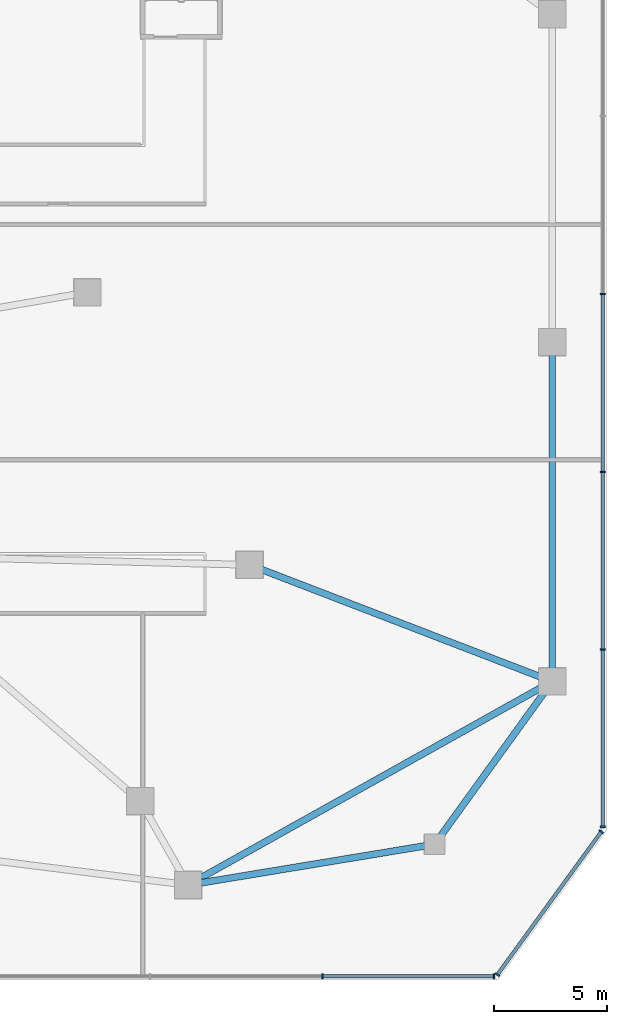
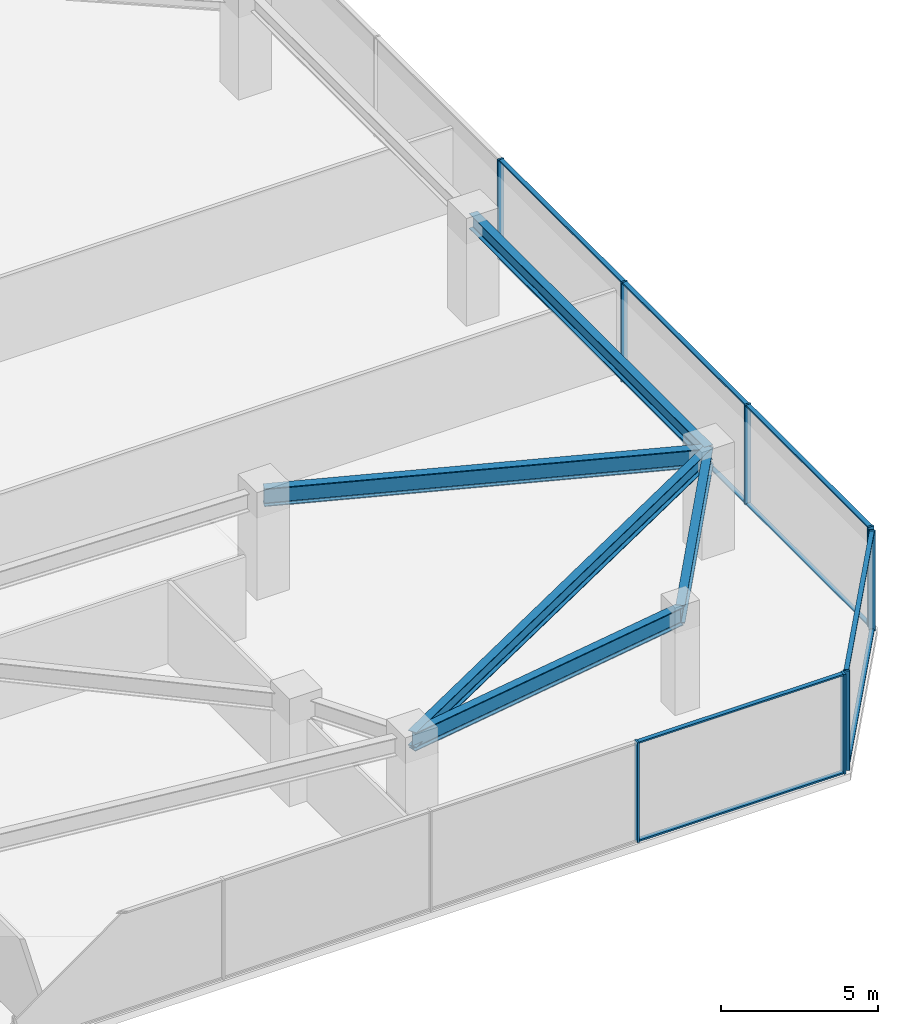
# One storey, part 8 of 22: 18 members, 5 beams, 3 elements without a shape of their own.
"""IFC4 building model written with IfcOpenShell, lengths in metres."""

import ifcopenshell
import ifcopenshell.guid

model = None  # the IFC model being written
_history = None  # IfcOwnerHistory: only IFC2X3 demands one
_inside = {}  # id of a spatial element -> (the spatial element, [elements in it])
_under = {}  # id of a project, library or spatial element -> (it, [spatial elements below it])
_declared = {}  # id of a project -> (the project, [libraries it declares])
_typed = {}  # id of a type object -> (the type object, [elements of that type])
_made_of = {}  # id of a material, layer set ... -> (it, [elements and type objects made of it])


def new_model(schema):
    """Start an empty IFC model of exactly this schema.

    Asked for "IFC4X3", IfcOpenShell would pick the latest addendum, in which some entities
    have other attributes; the version numbers below select the first issue.
    IFC2X3 requires an IfcOwnerHistory on every rooted entity: one is made here for all.
    """
    global model, _history
    if schema == "IFC4X3":
        model = ifcopenshell.file(schema_version=(4, 3, 0, 0))
    else:
        model = ifcopenshell.file(schema=schema)
    _inside.clear()
    _under.clear()
    _declared.clear()
    _typed.clear()
    _made_of.clear()
    _history = None
    if model.schema == "IFC2X3":
        org = make("IfcOrganization", Name="unknown")
        user = make(
            "IfcPersonAndOrganization",
            ThePerson=make("IfcPerson", FamilyName="unknown"),
            TheOrganization=org,
        )
        app = make(
            "IfcApplication",
            ApplicationDeveloper=org,
            Version="unknown",
            ApplicationFullName="unknown",
            ApplicationIdentifier="unknown",
        )
        _history = make(
            "IfcOwnerHistory",
            OwningUser=user,
            OwningApplication=app,
            ChangeAction="ADDED",
            CreationDate=0,
        )
    return model


def make(cls, **values):
    """One entity of the class cls with the attributes given. An attribute that is None is left unset."""
    return model.create_entity(
        cls, **{name: value for name, value in values.items() if value is not None}
    )


def rooted(cls, **values):
    """An entity with a GlobalId (a new one), such as an element, a storey or a relation."""
    return make(cls, GlobalId=ifcopenshell.guid.new(), OwnerHistory=_history, **values)


def si_unit(unit_type, name, prefix=None):
    """IfcSIUnit, for example si_unit("LENGTHUNIT", "METRE", prefix="MILLI")."""
    return make("IfcSIUnit", UnitType=unit_type, Prefix=prefix, Name=name)


def assignment(units):
    """IfcUnitAssignment: the units of a project."""
    return None if units is None else make("IfcUnitAssignment", Units=units)


def point(xyz):
    """IfcCartesianPoint."""
    return None if xyz is None else make("IfcCartesianPoint", Coordinates=xyz)


def direction(xyz):
    """IfcDirection."""
    return None if xyz is None else make("IfcDirection", DirectionRatios=xyz)


def frame(location, z_axis=None, x_axis=None):
    """IfcAxis2Placement3D, a coordinate frame: its origin and axes. An axis left out is left unset."""
    return make(
        "IfcAxis2Placement3D",
        Location=point(location),
        Axis=direction(z_axis),
        RefDirection=direction(x_axis),
    )


def frame_2d(location, x_axis=None):
    """IfcAxis2Placement2D, a coordinate frame in the plane: its origin and x axis."""
    return make(
        "IfcAxis2Placement2D", Location=point(location), RefDirection=direction(x_axis)
    )


def origin():
    """The frame at (0, 0, 0) with its axes left unset."""
    return frame((0.0, 0.0, 0.0))


def origin_2d():
    """The frame at (0, 0) in the plane with its x axis left unset."""
    return frame_2d((0.0, 0.0))


def place(relative_to, where):
    """IfcLocalPlacement: puts the frame where relative to a parent placement (None: the world)."""
    return make(
        "IfcLocalPlacement", PlacementRelTo=relative_to, RelativePlacement=where
    )


def context(
    kind, dimensions, precision=None, world=None, true_north=None, identifier=None
):
    """IfcGeometricRepresentationContext, for example the 3D "Model" context."""
    return make(
        "IfcGeometricRepresentationContext",
        ContextIdentifier=identifier,
        ContextType=kind,
        CoordinateSpaceDimension=dimensions,
        Precision=precision,
        WorldCoordinateSystem=world,
        TrueNorth=true_north,
    )


def subcontext(parent, identifier, kind, view, scale=None):
    """IfcGeometricRepresentationSubContext, for example "Body" below "Model"."""
    return make(
        "IfcGeometricRepresentationSubContext",
        ContextIdentifier=identifier,
        ContextType=kind,
        ParentContext=parent,
        TargetScale=scale,
        TargetView=view,
    )


def project(units=None, contexts=None):
    """IfcProject with its units and contexts."""
    return rooted(
        "IfcProject",
        Name="project",
        RepresentationContexts=contexts,
        UnitsInContext=assignment(units),
    )


def spatial(cls, under=None, at=None, **own):
    """A site, building, storey or space (cls), placed at a placement, below another one or the project."""
    s = rooted(cls, ObjectPlacement=at, **own)
    if under is not None:
        _under.setdefault(under.id(), (under, []))[1].append(s)
    return s


def profile(cls, at=None, kind="AREA", **sizes):
    """A parametric profile (cls). Its sizes go by their IFC names, for example OverallWidth=200.0."""
    return make(cls, ProfileType=kind, Position=at, **sizes)


def rectangle(**sizes):
    """IfcRectangleProfileDef."""
    return profile("IfcRectangleProfileDef", **sizes)


def i_section(**sizes):
    """IfcIShapeProfileDef."""
    return profile("IfcIShapeProfileDef", **sizes)


def extrude(swept, where, along, depth):
    """IfcExtrudedAreaSolid: the profile swept, set in the frame where, extruded along a direction by depth."""
    return make(
        "IfcExtrudedAreaSolid",
        SweptArea=swept,
        Position=where,
        ExtrudedDirection=direction(along),
        Depth=depth,
    )


def shape(context_of_items, identifier, shape_type, items):
    """IfcShapeRepresentation: the items that make up one representation, for example the "Body"."""
    return make(
        "IfcShapeRepresentation",
        ContextOfItems=context_of_items,
        RepresentationIdentifier=identifier,
        RepresentationType=shape_type,
        Items=items,
    )


def material(Name=None, Category=None):
    """IfcMaterial."""
    return make("IfcMaterial", Name=Name, Category=Category)


def material_profile(
    of_material, cross_section, Name=None, Category=None, Priority=None
):
    """IfcMaterialProfile: a cross section and its material."""
    return make(
        "IfcMaterialProfile",
        Name=Name,
        Material=of_material,
        Profile=cross_section,
        Priority=Priority,
        Category=Category,
    )


def profile_set(profiles, Name=None, composite=None):
    """IfcMaterialProfileSet."""
    return make(
        "IfcMaterialProfileSet",
        Name=Name,
        MaterialProfiles=profiles,
        CompositeProfile=composite,
    )


def made_of(thing, what):
    """Note that an element or type object is made of a material, layer set ...; save() writes the relation."""
    if what is not None:
        _made_of.setdefault(what.id(), (what, []))[1].append(thing)
    return thing


def type_object(cls, material=None, **own):
    """A type object (cls), such as IfcWallType, which elements share."""
    return made_of(rooted(cls, **own), material)


def element(
    cls,
    number,
    at=None,
    inside=None,
    cuts=None,
    type_object=None,
    material=None,
    context=None,
    identifier="Body",
    shape_type=None,
    held_by="IfcProductDefinitionShape",
    body=None,
    shapes=None,
    **own,
):
    """One element of the class cls, such as IfcWall. Its Tag is "e" and its number.

    at: its placement. inside: the storey or other place that contains it. cuts: it is an
    opening in that element (IfcRelVoidsElement). A single representation is given by context,
    identifier, shape_type and body (its items); several are given by shapes. held_by: the class
    of the entity that holds the representations. save() writes the other relations.
    """
    e = rooted(cls, Tag="e%d" % number, ObjectPlacement=at, **own)
    if body is not None:
        shapes = [shape(context, identifier, shape_type, body)]
    if shapes is not None:
        e.Representation = make(held_by, Representations=shapes)
    if inside is not None:
        _inside.setdefault(inside.id(), (inside, []))[1].append(e)
    if cuts is not None:
        rooted(
            "IfcRelVoidsElement", RelatingBuildingElement=cuts, RelatedOpeningElement=e
        )
    if type_object is not None:
        _typed.setdefault(type_object.id(), (type_object, []))[1].append(e)
    return made_of(e, material)


def aggregate(whole, parts):
    """IfcRelAggregates: a whole, such as a stair, and the parts it consists of."""
    return rooted("IfcRelAggregates", RelatingObject=whole, RelatedObjects=parts)


def save(model, path):
    """Write the relations noted so far, then the file.

    IfcRelAggregates (storeys below a building ...), IfcRelContainedInSpatialStructure (elements
    in a storey), IfcRelDefinesByType, IfcRelAssociatesMaterial and IfcRelDeclares: one each for
    every whole, place, type object, material and project.
    """
    for whole, parts in _under.values():
        aggregate(whole, parts)
    for where, things in _inside.values():
        rooted(
            "IfcRelContainedInSpatialStructure",
            RelatedElements=things,
            RelatingStructure=where,
        )
    for kind, things in _typed.values():
        rooted("IfcRelDefinesByType", RelatedObjects=things, RelatingType=kind)
    for what, things in _made_of.values():
        rooted("IfcRelAssociatesMaterial", RelatedObjects=things, RelatingMaterial=what)
    for by, libraries in _declared.values():
        rooted("IfcRelDeclares", RelatingContext=by, RelatedDefinitions=libraries)
    model.write(path)


model = new_model("IFC4")

# Units and contexts
model_context = context("Model", 3, precision=1e-05, world=origin(), true_north=direction((0.0, 1.0)))
body_context = subcontext(model_context, "Body", "Model", "MODEL_VIEW")
ifc_project = project(units=[si_unit("LENGTHUNIT", "METRE"), si_unit("AREAUNIT", "SQUARE_METRE"), si_unit("VOLUMEUNIT", "CUBIC_METRE"), si_unit("PLANEANGLEUNIT", "RADIAN"), si_unit("MASSUNIT", "GRAM", prefix="KILO")], contexts=[model_context])

# Site, building, storey
site_placement = place(None, origin())
site = spatial("IfcSite", under=ifc_project, at=site_placement, CompositionType="ELEMENT")
building_placement = place(site_placement, origin())
building = spatial("IfcBuilding", under=site, at=building_placement, Name="Savorim Split Tower", CompositionType="ELEMENT")
storey_placement = place(building_placement, frame((0.0, 0.0, 17.60009765625)))
storey = spatial("IfcBuildingStorey", under=building, at=storey_placement, Name="L04", CompositionType="ELEMENT", Elevation=17.60009765625)

# Beams
ifc_material_1 = material(Name="Steel S355", Category="steel")
ifc_material_profile_1 = material_profile(ifc_material_1, i_section(OverallWidth=0.300048828125, OverallDepth=0.699951171875, WebThickness=0.01708984375, FlangeThickness=0.031982421875, FilletRadius=0.027099609375, at=origin_2d()), Name="HEB 700")
ifc_profile_set_1 = profile_set([ifc_material_profile_1], Name="Steel S355")
beam_type_1 = type_object("IfcBeamType", Name="BM-PRI-HEB700", PredefinedType="BEAM", material=ifc_profile_set_1)
beam_1_placement = place(storey_placement, frame((22.5, -24.0, 3.52978515625), z_axis=(0.986636527583, 0.162936682298, 0.0), x_axis=(-0.162936682298, 0.986636527583, 0.0)))
element("IfcBeam", 1, at=beam_1_placement, inside=storey, type_object=beam_type_1, Name="L04 Podium Primary Girder BG-05", PredefinedType="BEAM", context=body_context, shape_type="SweptSolid", body=[
    extrude(i_section(OverallWidth=0.300048828125, OverallDepth=0.699951171875, WebThickness=0.01708984375, FlangeThickness=0.031982421875, FilletRadius=0.027099609375, at=origin_2d()), origin(), (0.0, 0.0, 1.0), 11.047607421875),
])
beam_2_placement = place(storey_placement, frame((33.39990234375, -22.199951171875, 3.52978515625), z_axis=(0.585507615617, 0.810666905735, 0.0), x_axis=(-0.810666905735, 0.585507615617, 0.0)))
element("IfcBeam", 2, at=beam_2_placement, inside=storey, type_object=beam_type_1, Name="L04 Podium Primary Girder BG-06", PredefinedType="BEAM", context=body_context, shape_type="SweptSolid", body=[
    extrude(i_section(OverallWidth=0.300048828125, OverallDepth=0.699951171875, WebThickness=0.01708984375, FlangeThickness=0.031982421875, FilletRadius=0.027099609375, at=origin_2d()), origin(), (0.0, 0.0, 1.0), 8.881591796875),
])
beam_3_placement = place(storey_placement, frame((38.60009765625, -15.0, 3.52978515625), z_axis=(-0.933209998247, 0.359331461427, 0.0), x_axis=(-0.359331461427, -0.933209998247, 0.0)))
element("IfcBeam", 3, at=beam_3_placement, inside=storey, type_object=beam_type_1, Name="L04 Podium Primary Girder BG-07", PredefinedType="BEAM", context=body_context, shape_type="SweptSolid", body=[
    extrude(i_section(OverallWidth=0.300048828125, OverallDepth=0.699951171875, WebThickness=0.01708984375, FlangeThickness=0.031982421875, FilletRadius=0.027099609375, at=origin_2d()), origin(), (0.0, 0.0, 1.0), 14.3447265625),
])
ifc_material_profile_2 = material_profile(ifc_material_1, i_section(OverallWidth=0.300048828125, OverallDepth=0.590087890625, WebThickness=0.012939453125, FlangeThickness=0.02490234375, FilletRadius=0.027099609375, at=origin_2d()), Name="HEA 600")
ifc_profile_set_2 = profile_set([ifc_material_profile_2], Name="Steel S355")
beam_type_2 = type_object("IfcBeamType", Name="BM-SPN-HEA600", PredefinedType="SPANDREL", material=ifc_profile_set_2)
beam_4_placement = place(storey_placement, frame((22.5, -24.0, 3.5849609375), z_axis=(0.872876830371, 0.487940610117, 0.0), x_axis=(-0.487940610117, 0.872876830371, 0.0)))
element("IfcBeam", 4, at=beam_4_placement, inside=storey, type_object=beam_type_2, Name="L04 Podium Spandrel Beam 2", PredefinedType="SPANDREL", context=body_context, shape_type="SweptSolid", body=[
    extrude(i_section(OverallWidth=0.300048828125, OverallDepth=0.590087890625, WebThickness=0.012939453125, FlangeThickness=0.02490234375, FilletRadius=0.027099609375, at=origin_2d()), origin(), (0.0, 0.0, 1.0), 18.44482421875),
])
beam_5_placement = place(storey_placement, frame((38.60009765625, -15.0, 3.5849609375), z_axis=(0.0, 1.0, 0.0), x_axis=(-1.0, 0.0, 0.0)))
element("IfcBeam", 5, at=beam_5_placement, inside=storey, type_object=beam_type_2, Name="L04 Podium Spandrel Beam 3", PredefinedType="SPANDREL", context=body_context, shape_type="SweptSolid", body=[
    extrude(i_section(OverallWidth=0.300048828125, OverallDepth=0.590087890625, WebThickness=0.012939453125, FlangeThickness=0.02490234375, FilletRadius=0.027099609375, at=origin_2d()), origin(), (0.0, 0.0, 1.0), 15.0),
])

# Curtain wall, members
ifc_material_2 = material(Name="Dark Ceramic-Fritted Insulated Glass", Category="glass")
curtain_wall_type = type_object("IfcCurtainWallType", Name="CW-POD-GLZ", PredefinedType="NOTDEFINED", material=ifc_material_2)
curtain_wall_1_placement = place(storey_placement, origin())
curtain_wall_1 = element("IfcCurtainWall", 6, at=curtain_wall_1_placement, inside=storey, type_object=curtain_wall_type, Name="L04 Curtain Wall CW-L04-E04", PredefinedType="NOTDEFINED")
ifc_material_3 = material(Name="Charcoal Anodised Aluminium", Category="aluminium")
ifc_material_profile_3 = material_profile(ifc_material_3, rectangle(XDim=0.219970703125, YDim=0.070068359375, at=origin_2d()), Name="ALU-M 220x70")
ifc_profile_set_3 = profile_set([ifc_material_profile_3], Name="Charcoal Anodised Aluminium")
member_type_1 = type_object("IfcMemberType", Name="CWM-220x70", PredefinedType="MULLION", material=ifc_profile_set_3)
member_1_placement = place(storey_placement, frame((28.43310546875, -28.0400390625, 0.0), z_axis=(0.0, 0.0, 1.0), x_axis=(0.0, 1.0, 0.0)))
member_1 = element("IfcMember", 7, at=member_1_placement, type_object=member_type_1, Name="CW-01 mullion 8", PredefinedType="MULLION", context=body_context, shape_type="SweptSolid", body=[
    extrude(rectangle(XDim=0.219970703125, YDim=0.070068359375, at=origin_2d()), origin(), (0.0, 0.0, 1.0), 3.8798828125),
])
member_2_placement = place(storey_placement, frame((36.02490234375, -28.0400390625, 0.0), z_axis=(0.0, 0.0, 1.0), x_axis=(0.0, 1.0, 0.0)))
member_2 = element("IfcMember", 8, at=member_2_placement, type_object=member_type_1, Name="CW-01 mullion 9", PredefinedType="MULLION", context=body_context, shape_type="SweptSolid", body=[
    extrude(rectangle(XDim=0.219970703125, YDim=0.070068359375, at=origin_2d()), origin(), (0.0, 0.0, 1.0), 3.8798828125),
])

curtain_wall_2_placement = place(storey_placement, origin())
curtain_wall_2 = element("IfcCurtainWall", 9, at=curtain_wall_2_placement, inside=storey, type_object=curtain_wall_type, Name="L04 Curtain Wall CW-L04-E05", PredefinedType="NOTDEFINED")
member_3_placement = place(storey_placement, frame((36.173583984375, -27.96435546875, 0.0), z_axis=(0.0, 0.0, 1.0), x_axis=(-0.808732792063, 0.588176224478, 0.0)))
member_3 = element("IfcMember", 10, at=member_3_placement, type_object=member_type_1, Name="CW-01 mullion 1", PredefinedType="MULLION", context=body_context, shape_type="SweptSolid", body=[
    extrude(rectangle(XDim=0.219970703125, YDim=0.070068359375, at=origin_2d()), origin(), (0.0, 0.0, 1.0), 3.8798828125),
])
member_4_placement = place(storey_placement, frame((40.767822265625, -21.6474609375, 0.0), z_axis=(0.0, 0.0, 1.0), x_axis=(-0.808732792063, 0.588176224478, 0.0)))
member_4 = element("IfcMember", 11, at=member_4_placement, type_object=member_type_1, Name="CW-01 mullion 2", PredefinedType="MULLION", context=body_context, shape_type="SweptSolid", body=[
    extrude(rectangle(XDim=0.219970703125, YDim=0.070068359375, at=origin_2d()), origin(), (0.0, 0.0, 1.0), 3.8798828125),
])

curtain_wall_3_placement = place(storey_placement, origin())
curtain_wall_3 = element("IfcCurtainWall", 12, at=curtain_wall_3_placement, inside=storey, type_object=curtain_wall_type, Name="L04 Curtain Wall CW-L04-E06", PredefinedType="NOTDEFINED")
member_5_placement = place(storey_placement, frame((40.840087890625, -21.425048828125, 0.0), z_axis=(0.0, 0.0, 1.0), x_axis=(-1.0, 0.0, 0.0)))
member_5 = element("IfcMember", 13, at=member_5_placement, type_object=member_type_1, Name="CW-01 mullion 1", PredefinedType="MULLION", context=body_context, shape_type="SweptSolid", body=[
    extrude(rectangle(XDim=0.219970703125, YDim=0.070068359375, at=origin_2d()), origin(), (0.0, 0.0, 1.0), 3.8798828125),
])
member_6_placement = place(storey_placement, frame((40.840087890625, -13.595947265625, 0.0), z_axis=(0.0, 0.0, 1.0), x_axis=(-1.0, 0.0, 0.0)))
member_6 = element("IfcMember", 14, at=member_6_placement, type_object=member_type_1, Name="CW-01 mullion 2", PredefinedType="MULLION", context=body_context, shape_type="SweptSolid", body=[
    extrude(rectangle(XDim=0.219970703125, YDim=0.070068359375, at=origin_2d()), origin(), (0.0, 0.0, 1.0), 3.8798828125),
])
member_7_placement = place(storey_placement, frame((40.840087890625, -5.73193359375, 0.0), z_axis=(0.0, 0.0, 1.0), x_axis=(-1.0, 0.0, 0.0)))
member_7 = element("IfcMember", 15, at=member_7_placement, type_object=member_type_1, Name="CW-01 mullion 3", PredefinedType="MULLION", context=body_context, shape_type="SweptSolid", body=[
    extrude(rectangle(XDim=0.219970703125, YDim=0.070068359375, at=origin_2d()), origin(), (0.0, 0.0, 1.0), 3.8798828125),
])
member_8_placement = place(storey_placement, frame((40.840087890625, 2.132080078125, 0.0), z_axis=(0.0, 0.0, 1.0), x_axis=(-1.0, 0.0, 0.0)))
member_8 = element("IfcMember", 16, at=member_8_placement, type_object=member_type_1, Name="CW-01 mullion 4", PredefinedType="MULLION", context=body_context, shape_type="SweptSolid", body=[
    extrude(rectangle(XDim=0.219970703125, YDim=0.070068359375, at=origin_2d()), origin(), (0.0, 0.0, 1.0), 3.8798828125),
])

# Member
ifc_material_profile_4 = material_profile(ifc_material_3, rectangle(XDim=0.159912109375, YDim=0.06005859375, at=origin_2d()), Name="ALU-T 160x60")
ifc_profile_set_4 = profile_set([ifc_material_profile_4], Name="Charcoal Anodised Aluminium")
member_type_2 = type_object("IfcMemberType", Name="CWT-160x60", PredefinedType="USERDEFINED", material=ifc_profile_set_4)
member_9_placement = place(storey_placement, frame((28.468017578125, -28.0400390625, 0.02978515625), z_axis=(1.0, 0.0, 0.0), x_axis=(0.0, 1.0, 0.0)))
member_9 = element("IfcMember", 17, at=member_9_placement, type_object=member_type_2, Name="CW-01 transom 8.1", ObjectType="TRANSOM", PredefinedType="USERDEFINED", context=body_context, shape_type="SweptSolid", body=[
    extrude(rectangle(XDim=0.159912109375, YDim=0.06005859375, at=origin_2d()), origin(), (0.0, 0.0, 1.0), 7.52197265625),
])

member_10_placement = place(storey_placement, frame((28.468017578125, -28.0400390625, 3.849853515625), z_axis=(1.0, 0.0, 0.0), x_axis=(0.0, 1.0, 0.0)))
member_10 = element("IfcMember", 18, at=member_10_placement, type_object=member_type_2, Name="CW-01 transom 8.2", ObjectType="TRANSOM", PredefinedType="USERDEFINED", context=body_context, shape_type="SweptSolid", body=[
    extrude(rectangle(XDim=0.159912109375, YDim=0.06005859375, at=origin_2d()), origin(), (0.0, 0.0, 1.0), 7.52197265625),
])

aggregate(curtain_wall_1, [member_1, member_2, member_9, member_10])

member_11_placement = place(storey_placement, frame((36.194091796875, -27.93603515625, 0.02978515625), z_axis=(0.588177323599, 0.808731992692, 0.0), x_axis=(-0.808731992692, 0.588177323599, 0.0)))
member_11 = element("IfcMember", 19, at=member_11_placement, type_object=member_type_2, Name="CW-01 transom 1.1", ObjectType="TRANSOM", PredefinedType="USERDEFINED", context=body_context, shape_type="SweptSolid", body=[
    extrude(rectangle(XDim=0.159912109375, YDim=0.06005859375, at=origin_2d()), origin(), (0.0, 0.0, 1.0), 7.74072265625),
])

member_12_placement = place(storey_placement, frame((36.194091796875, -27.93603515625, 3.849853515625), z_axis=(0.588177323599, 0.808731992692, 0.0), x_axis=(-0.808731992692, 0.588177323599, 0.0)))
member_12 = element("IfcMember", 20, at=member_12_placement, type_object=member_type_2, Name="CW-01 transom 1.2", ObjectType="TRANSOM", PredefinedType="USERDEFINED", context=body_context, shape_type="SweptSolid", body=[
    extrude(rectangle(XDim=0.159912109375, YDim=0.06005859375, at=origin_2d()), origin(), (0.0, 0.0, 1.0), 7.74072265625),
])

aggregate(curtain_wall_2, [member_3, member_4, member_11, member_12])

member_13_placement = place(storey_placement, frame((40.840087890625, -21.389892578125, 0.02978515625), z_axis=(0.0, 1.0, 0.0), x_axis=(-1.0, 0.0, 0.0)))
member_13 = element("IfcMember", 21, at=member_13_placement, type_object=member_type_2, Name="CW-01 transom 1.1", ObjectType="TRANSOM", PredefinedType="USERDEFINED", context=body_context, shape_type="SweptSolid", body=[
    extrude(rectangle(XDim=0.159912109375, YDim=0.06005859375, at=origin_2d()), origin(), (0.0, 0.0, 1.0), 7.7587890625),
])

member_14_placement = place(storey_placement, frame((40.840087890625, -21.389892578125, 3.849853515625), z_axis=(0.0, 1.0, 0.0), x_axis=(-1.0, 0.0, 0.0)))
member_14 = element("IfcMember", 22, at=member_14_placement, type_object=member_type_2, Name="CW-01 transom 1.2", ObjectType="TRANSOM", PredefinedType="USERDEFINED", context=body_context, shape_type="SweptSolid", body=[
    extrude(rectangle(XDim=0.159912109375, YDim=0.06005859375, at=origin_2d()), origin(), (0.0, 0.0, 1.0), 7.7587890625),
])

member_15_placement = place(storey_placement, frame((40.840087890625, -13.56103515625, 0.02978515625), z_axis=(0.0, 1.0, 0.0), x_axis=(-1.0, 0.0, 0.0)))
member_15 = element("IfcMember", 23, at=member_15_placement, type_object=member_type_2, Name="CW-01 transom 2.1", ObjectType="TRANSOM", PredefinedType="USERDEFINED", context=body_context, shape_type="SweptSolid", body=[
    extrude(rectangle(XDim=0.159912109375, YDim=0.06005859375, at=origin_2d()), origin(), (0.0, 0.0, 1.0), 7.7939453125),
])

member_16_placement = place(storey_placement, frame((40.840087890625, -13.56103515625, 3.849853515625), z_axis=(0.0, 1.0, 0.0), x_axis=(-1.0, 0.0, 0.0)))
member_16 = element("IfcMember", 24, at=member_16_placement, type_object=member_type_2, Name="CW-01 transom 2.2", ObjectType="TRANSOM", PredefinedType="USERDEFINED", context=body_context, shape_type="SweptSolid", body=[
    extrude(rectangle(XDim=0.159912109375, YDim=0.06005859375, at=origin_2d()), origin(), (0.0, 0.0, 1.0), 7.7939453125),
])

member_17_placement = place(storey_placement, frame((40.840087890625, -5.697021484375, 0.02978515625), z_axis=(0.0, 1.0, 0.0), x_axis=(-1.0, 0.0, 0.0)))
member_17 = element("IfcMember", 25, at=member_17_placement, type_object=member_type_2, Name="CW-01 transom 3.1", ObjectType="TRANSOM", PredefinedType="USERDEFINED", context=body_context, shape_type="SweptSolid", body=[
    extrude(rectangle(XDim=0.159912109375, YDim=0.06005859375, at=origin_2d()), origin(), (0.0, 0.0, 1.0), 7.7939453125),
])

member_18_placement = place(storey_placement, frame((40.840087890625, -5.697021484375, 3.849853515625), z_axis=(0.0, 1.0, 0.0), x_axis=(-1.0, 0.0, 0.0)))
member_18 = element("IfcMember", 26, at=member_18_placement, type_object=member_type_2, Name="CW-01 transom 3.2", ObjectType="TRANSOM", PredefinedType="USERDEFINED", context=body_context, shape_type="SweptSolid", body=[
    extrude(rectangle(XDim=0.159912109375, YDim=0.06005859375, at=origin_2d()), origin(), (0.0, 0.0, 1.0), 7.7939453125),
])

aggregate(curtain_wall_3, [member_5, member_6, member_7, member_8, member_13, member_14, member_15, member_16, member_17, member_18])

save(model, "model.ifc")
